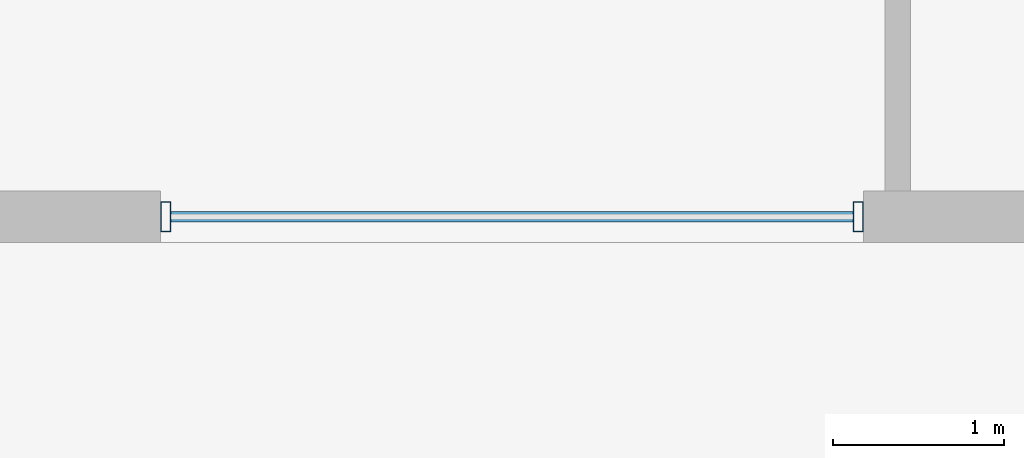
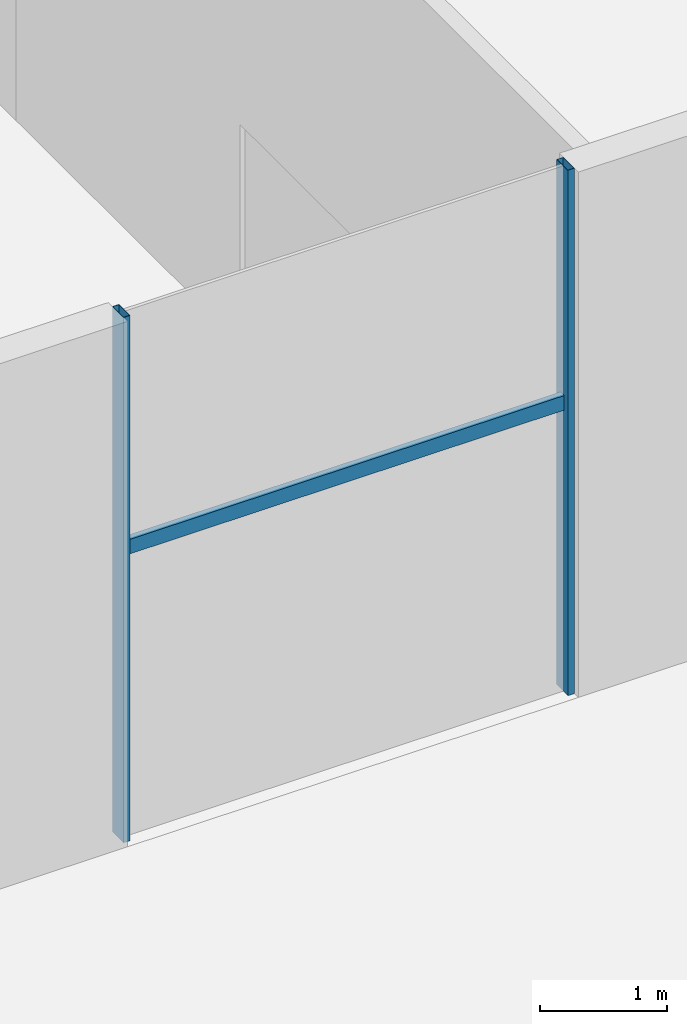
# One storey, part 2 of 47: 3 members, 1 element without a shape of its own.
"""IFC4 building model written with IfcOpenShell, lengths in metres."""

from ifc_helpers import new_model, si_unit, direction, frame, origin, origin_2d, place, context, subcontext, project, spatial, hollow_rectangle, extrude, material, material_profile, profile_set, type_object, element, aggregate, save


model = new_model("IFC4")

# Units and contexts
model_context = context("Model", 3, precision=1e-05, world=origin(), true_north=direction((0.0, 1.0)))
body_context = subcontext(model_context, "Body", "Model", "MODEL_VIEW")
ifc_project = project(units=[si_unit("LENGTHUNIT", "METRE"), si_unit("AREAUNIT", "SQUARE_METRE"), si_unit("VOLUMEUNIT", "CUBIC_METRE"), si_unit("PLANEANGLEUNIT", "RADIAN"), si_unit("MASSUNIT", "GRAM", prefix="KILO")], contexts=[model_context])

# Site, building, storey
site_placement = place(None, origin())
site = spatial("IfcSite", under=ifc_project, at=site_placement, CompositionType="ELEMENT")
building_placement = place(site_placement, origin())
building = spatial("IfcBuilding", under=site, at=building_placement, Name="Altepetl Exchange Towers", CompositionType="ELEMENT")
storey_placement = place(building_placement, frame((0.0, 0.0, 6.0)))
storey = spatial("IfcBuildingStorey", under=building, at=storey_placement, Name="L01 Retail podium", CompositionType="ELEMENT", Elevation=6.0)

# Curtain wall, members
ifc_material_1 = material(Name="Aluminium 6063-T6 glazing", Category="aluminium")
curtain_wall_type = type_object("IfcCurtainWallType", Name="Podium storefront system", PredefinedType="NOTDEFINED", material=ifc_material_1)
curtain_wall_placement = place(storey_placement, origin())
curtain_wall = element("IfcCurtainWall", 1, at=curtain_wall_placement, inside=storey, type_object=curtain_wall_type, Name="CW5 run", PredefinedType="NOTDEFINED")
ifc_material_2 = material(Name="Aluminium 6063-T6", Category="aluminium")
ifc_material_profile_1 = material_profile(ifc_material_2, hollow_rectangle(XDim=0.06005859375, YDim=0.175048828125, WallThickness=0.0029296875, at=origin_2d()), Name="Mullion 60x175 aluminium")
ifc_profile_set_1 = profile_set([ifc_material_profile_1], Name="Aluminium 6063-T6")
member_type_1 = type_object("IfcMemberType", Name="Mullion 60x175 aluminium", PredefinedType="MULLION", material=ifc_profile_set_1)
member_1_placement = place(storey_placement, frame((13.72998046875, 9.14990234375, 0.0)))
member_1 = element("IfcMember", 2, at=member_1_placement, type_object=member_type_1, Name="MU4 mullion", PredefinedType="MULLION", context=body_context, shape_type="SweptSolid", body=[
    extrude(hollow_rectangle(XDim=0.06005859375, YDim=0.175048828125, WallThickness=0.0029296875, at=origin_2d()), origin(), (0.0, 0.0, 1.0), 5.050048828125),
])
member_2_placement = place(storey_placement, frame((17.77001953125, 9.14990234375, 0.0)))
member_2 = element("IfcMember", 3, at=member_2_placement, type_object=member_type_1, Name="MU4 mullion", PredefinedType="MULLION", context=body_context, shape_type="SweptSolid", body=[
    extrude(hollow_rectangle(XDim=0.06005859375, YDim=0.175048828125, WallThickness=0.0029296875, at=origin_2d()), origin(), (0.0, 0.0, 1.0), 5.050048828125),
])
ifc_material_profile_2 = material_profile(ifc_material_2, hollow_rectangle(XDim=0.06005859375, YDim=0.139892578125, WallThickness=0.0029296875, at=origin_2d()), Name="Transom 60x140 aluminium")
ifc_profile_set_2 = profile_set([ifc_material_profile_2], Name="Aluminium 6063-T6")
member_type_2 = type_object("IfcMemberType", Name="Transom 60x140 aluminium", PredefinedType="USERDEFINED", material=ifc_profile_set_2)
member_3_placement = place(storey_placement, frame((13.760009765625, 9.14990234375, 2.780029296875), z_axis=(1.0, 0.0, 0.0), x_axis=(0.0, 1.0, 0.0)))
member_3 = element("IfcMember", 4, at=member_3_placement, type_object=member_type_2, Name="TR3 transom", ObjectType="TRANSOM", PredefinedType="USERDEFINED", context=body_context, shape_type="SweptSolid", body=[
    extrude(hollow_rectangle(XDim=0.06005859375, YDim=0.139892578125, WallThickness=0.0029296875, at=origin_2d()), origin(), (0.0, 0.0, 1.0), 3.97998046875),
])
aggregate(curtain_wall, [member_1, member_2, member_3])

save(model, "model.ifc")
